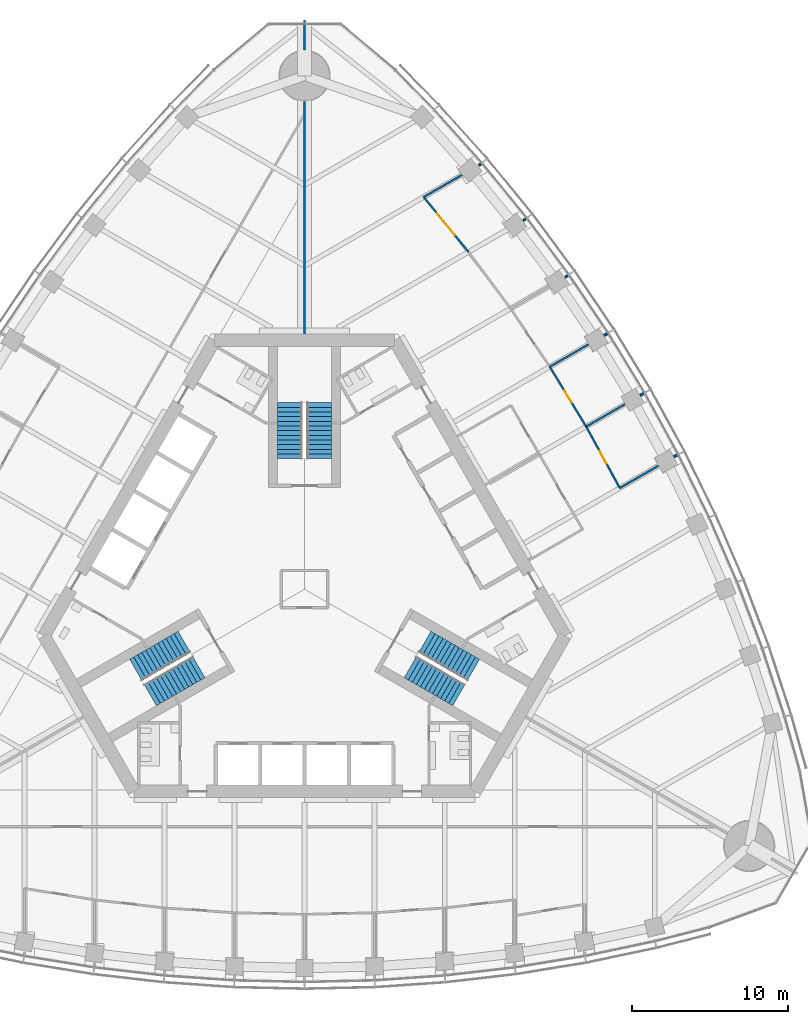
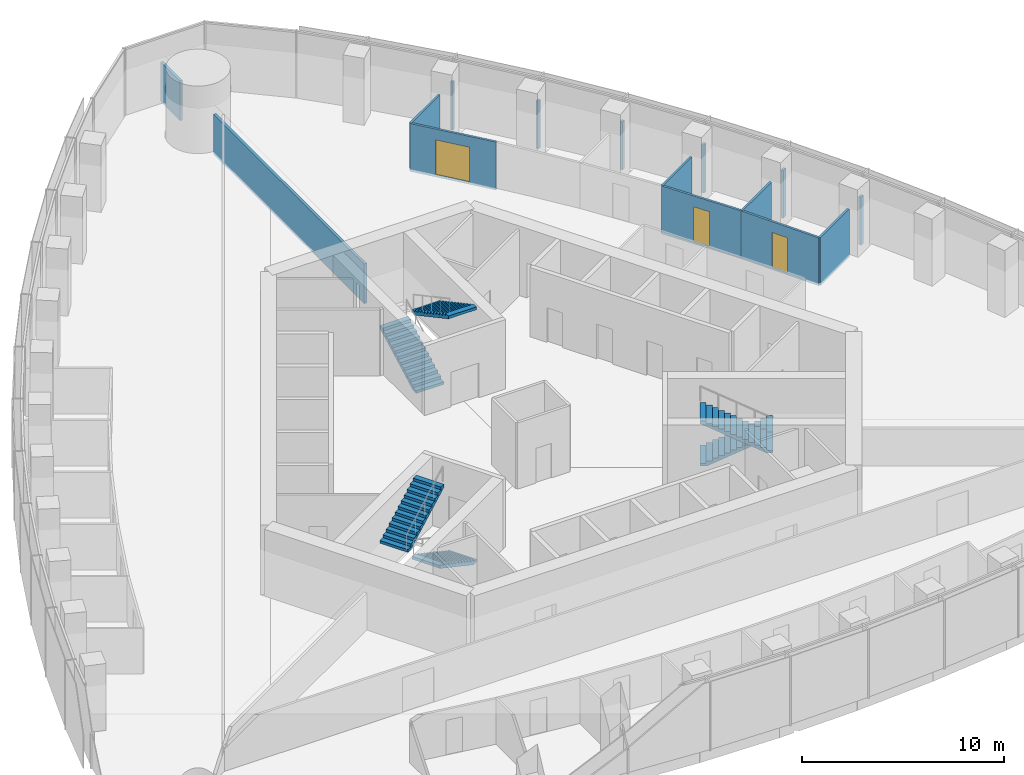
# One storey, part 15 of 20: 15 walls, 6 stair flights, 3 doors, 3 openings, 3 elements without a shape of their own.
"""IFC4 building model written with IfcOpenShell, lengths in metres."""

import ifcopenshell
import ifcopenshell.guid

model = None  # the IFC model being written
_history = None  # IfcOwnerHistory: only IFC2X3 demands one
_inside = {}  # id of a spatial element -> (the spatial element, [elements in it])
_under = {}  # id of a project, library or spatial element -> (it, [spatial elements below it])
_declared = {}  # id of a project -> (the project, [libraries it declares])
_typed = {}  # id of a type object -> (the type object, [elements of that type])
_made_of = {}  # id of a material, layer set ... -> (it, [elements and type objects made of it])


def new_model(schema):
    """Start an empty IFC model of exactly this schema.

    Asked for "IFC4X3", IfcOpenShell would pick the latest addendum, in which some entities
    have other attributes; the version numbers below select the first issue.
    IFC2X3 requires an IfcOwnerHistory on every rooted entity: one is made here for all.
    """
    global model, _history
    if schema == "IFC4X3":
        model = ifcopenshell.file(schema_version=(4, 3, 0, 0))
    else:
        model = ifcopenshell.file(schema=schema)
    _inside.clear()
    _under.clear()
    _declared.clear()
    _typed.clear()
    _made_of.clear()
    _history = None
    if model.schema == "IFC2X3":
        org = make("IfcOrganization", Name="unknown")
        user = make(
            "IfcPersonAndOrganization",
            ThePerson=make("IfcPerson", FamilyName="unknown"),
            TheOrganization=org,
        )
        app = make(
            "IfcApplication",
            ApplicationDeveloper=org,
            Version="unknown",
            ApplicationFullName="unknown",
            ApplicationIdentifier="unknown",
        )
        _history = make(
            "IfcOwnerHistory",
            OwningUser=user,
            OwningApplication=app,
            ChangeAction="ADDED",
            CreationDate=0,
        )
    return model


def make(cls, **values):
    """One entity of the class cls with the attributes given. An attribute that is None is left unset."""
    return model.create_entity(
        cls, **{name: value for name, value in values.items() if value is not None}
    )


def rooted(cls, **values):
    """An entity with a GlobalId (a new one), such as an element, a storey or a relation."""
    return make(cls, GlobalId=ifcopenshell.guid.new(), OwnerHistory=_history, **values)


def si_unit(unit_type, name, prefix=None):
    """IfcSIUnit, for example si_unit("LENGTHUNIT", "METRE", prefix="MILLI")."""
    return make("IfcSIUnit", UnitType=unit_type, Prefix=prefix, Name=name)


def assignment(units):
    """IfcUnitAssignment: the units of a project."""
    return None if units is None else make("IfcUnitAssignment", Units=units)


def point(xyz):
    """IfcCartesianPoint."""
    return None if xyz is None else make("IfcCartesianPoint", Coordinates=xyz)


def direction(xyz):
    """IfcDirection."""
    return None if xyz is None else make("IfcDirection", DirectionRatios=xyz)


def frame(location, z_axis=None, x_axis=None):
    """IfcAxis2Placement3D, a coordinate frame: its origin and axes. An axis left out is left unset."""
    return make(
        "IfcAxis2Placement3D",
        Location=point(location),
        Axis=direction(z_axis),
        RefDirection=direction(x_axis),
    )


def frame_2d(location, x_axis=None):
    """IfcAxis2Placement2D, a coordinate frame in the plane: its origin and x axis."""
    return make(
        "IfcAxis2Placement2D", Location=point(location), RefDirection=direction(x_axis)
    )


def origin():
    """The frame at (0, 0, 0) with its axes left unset."""
    return frame((0.0, 0.0, 0.0))


def place(relative_to, where):
    """IfcLocalPlacement: puts the frame where relative to a parent placement (None: the world)."""
    return make(
        "IfcLocalPlacement", PlacementRelTo=relative_to, RelativePlacement=where
    )


def context(
    kind, dimensions, precision=None, world=None, true_north=None, identifier=None
):
    """IfcGeometricRepresentationContext, for example the 3D "Model" context."""
    return make(
        "IfcGeometricRepresentationContext",
        ContextIdentifier=identifier,
        ContextType=kind,
        CoordinateSpaceDimension=dimensions,
        Precision=precision,
        WorldCoordinateSystem=world,
        TrueNorth=true_north,
    )


def subcontext(parent, identifier, kind, view, scale=None):
    """IfcGeometricRepresentationSubContext, for example "Body" below "Model"."""
    return make(
        "IfcGeometricRepresentationSubContext",
        ContextIdentifier=identifier,
        ContextType=kind,
        ParentContext=parent,
        TargetScale=scale,
        TargetView=view,
    )


def project(units=None, contexts=None):
    """IfcProject with its units and contexts."""
    return rooted(
        "IfcProject",
        Name="project",
        RepresentationContexts=contexts,
        UnitsInContext=assignment(units),
    )


def spatial(cls, under=None, at=None, **own):
    """A site, building, storey or space (cls), placed at a placement, below another one or the project."""
    s = rooted(cls, ObjectPlacement=at, **own)
    if under is not None:
        _under.setdefault(under.id(), (under, []))[1].append(s)
    return s


def polyline(points):
    """IfcPolyline through the points."""
    return make("IfcPolyline", Points=[point(p) for p in points])


def profile(cls, at=None, kind="AREA", **sizes):
    """A parametric profile (cls). Its sizes go by their IFC names, for example OverallWidth=200.0."""
    return make(cls, ProfileType=kind, Position=at, **sizes)


def rectangle(**sizes):
    """IfcRectangleProfileDef."""
    return profile("IfcRectangleProfileDef", **sizes)


def outline(outer, holes=None, kind="AREA"):
    """IfcArbitraryClosedProfileDef: a profile drawn as a closed curve; with holes, ...WithVoids."""
    if holes is None:
        return make("IfcArbitraryClosedProfileDef", ProfileType=kind, OuterCurve=outer)
    return make(
        "IfcArbitraryProfileDefWithVoids",
        ProfileType=kind,
        OuterCurve=outer,
        InnerCurves=holes,
    )


def extrude(swept, where, along, depth):
    """IfcExtrudedAreaSolid: the profile swept, set in the frame where, extruded along a direction by depth."""
    return make(
        "IfcExtrudedAreaSolid",
        SweptArea=swept,
        Position=where,
        ExtrudedDirection=direction(along),
        Depth=depth,
    )


def shape(context_of_items, identifier, shape_type, items):
    """IfcShapeRepresentation: the items that make up one representation, for example the "Body"."""
    return make(
        "IfcShapeRepresentation",
        ContextOfItems=context_of_items,
        RepresentationIdentifier=identifier,
        RepresentationType=shape_type,
        Items=items,
    )


def material(Name=None, Category=None):
    """IfcMaterial."""
    return make("IfcMaterial", Name=Name, Category=Category)


def layer(
    of_material, thickness, ventilated=None, Name=None, Category=None, Priority=None
):
    """IfcMaterialLayer: one layer of a wall or slab, of a material (None: an air gap)."""
    return make(
        "IfcMaterialLayer",
        Material=of_material,
        LayerThickness=thickness,
        IsVentilated=ventilated,
        Name=Name,
        Category=Category,
        Priority=Priority,
    )


def layer_set(layers, Name=None):
    """IfcMaterialLayerSet."""
    return make("IfcMaterialLayerSet", MaterialLayers=layers, LayerSetName=Name)


def made_of(thing, what):
    """Note that an element or type object is made of a material, layer set ...; save() writes the relation."""
    if what is not None:
        _made_of.setdefault(what.id(), (what, []))[1].append(thing)
    return thing


def type_object(cls, material=None, **own):
    """A type object (cls), such as IfcWallType, which elements share."""
    return made_of(rooted(cls, **own), material)


def element(
    cls,
    number,
    at=None,
    inside=None,
    cuts=None,
    type_object=None,
    material=None,
    context=None,
    identifier="Body",
    shape_type=None,
    held_by="IfcProductDefinitionShape",
    body=None,
    shapes=None,
    **own,
):
    """One element of the class cls, such as IfcWall. Its Tag is "e" and its number.

    at: its placement. inside: the storey or other place that contains it. cuts: it is an
    opening in that element (IfcRelVoidsElement). A single representation is given by context,
    identifier, shape_type and body (its items); several are given by shapes. held_by: the class
    of the entity that holds the representations. save() writes the other relations.
    """
    e = rooted(cls, Tag="e%d" % number, ObjectPlacement=at, **own)
    if body is not None:
        shapes = [shape(context, identifier, shape_type, body)]
    if shapes is not None:
        e.Representation = make(held_by, Representations=shapes)
    if inside is not None:
        _inside.setdefault(inside.id(), (inside, []))[1].append(e)
    if cuts is not None:
        rooted(
            "IfcRelVoidsElement", RelatingBuildingElement=cuts, RelatedOpeningElement=e
        )
    if type_object is not None:
        _typed.setdefault(type_object.id(), (type_object, []))[1].append(e)
    return made_of(e, material)


def fill(opening, filler):
    """IfcRelFillsElement: the door or window that sits in an opening."""
    return rooted(
        "IfcRelFillsElement",
        RelatingOpeningElement=opening,
        RelatedBuildingElement=filler,
    )


def aggregate(whole, parts):
    """IfcRelAggregates: a whole, such as a stair, and the parts it consists of."""
    return rooted("IfcRelAggregates", RelatingObject=whole, RelatedObjects=parts)


def save(model, path):
    """Write the relations noted so far, then the file.

    IfcRelAggregates (storeys below a building ...), IfcRelContainedInSpatialStructure (elements
    in a storey), IfcRelDefinesByType, IfcRelAssociatesMaterial and IfcRelDeclares: one each for
    every whole, place, type object, material and project.
    """
    for whole, parts in _under.values():
        aggregate(whole, parts)
    for where, things in _inside.values():
        rooted(
            "IfcRelContainedInSpatialStructure",
            RelatedElements=things,
            RelatingStructure=where,
        )
    for kind, things in _typed.values():
        rooted("IfcRelDefinesByType", RelatedObjects=things, RelatingType=kind)
    for what, things in _made_of.values():
        rooted("IfcRelAssociatesMaterial", RelatedObjects=things, RelatingMaterial=what)
    for by, libraries in _declared.values():
        rooted("IfcRelDeclares", RelatingContext=by, RelatedDefinitions=libraries)
    model.write(path)


model = new_model("IFC4")

# Units and contexts
model_context = context("Model", 3, precision=1e-05, world=origin(), true_north=direction((0.0, 1.0)))
body_context = subcontext(model_context, "Body", "Model", "MODEL_VIEW")
ifc_project = project(units=[si_unit("LENGTHUNIT", "METRE"), si_unit("AREAUNIT", "SQUARE_METRE"), si_unit("VOLUMEUNIT", "CUBIC_METRE"), si_unit("PLANEANGLEUNIT", "RADIAN"), si_unit("MASSUNIT", "GRAM", prefix="KILO")], contexts=[model_context])

# Site, building, storey
site_placement = place(None, origin())
site = spatial("IfcSite", under=ifc_project, at=site_placement, CompositionType="ELEMENT")
building_placement = place(site_placement, origin())
building = spatial("IfcBuilding", under=site, at=building_placement, Name="Trefoil Bronze Tower", CompositionType="ELEMENT")
storey_placement = place(building_placement, frame((0.0, 0.0, 219.10009765625)))
storey = spatial("IfcBuildingStorey", under=building, at=storey_placement, Name="L50", CompositionType="ELEMENT", Elevation=219.10009765625)

# Wall, opening, door
ifc_material_1 = material(Name="Glazed partition", Category="glass")
ifc_layer_1 = layer(ifc_material_1, 0.1201171875)
ifc_layer_set_1 = layer_set([ifc_layer_1], Name="Glazed partition 120")
wall_type_1 = type_object("IfcWallType", Name="Glazed partition 120", PredefinedType="PARTITIONING", material=ifc_layer_set_1)
wall_1_placement = place(storey_placement, frame((18.1005859375, 10.450439453125, 0.0), z_axis=(0.0, 0.0, 1.0), x_axis=(-0.519790350351, 0.85429385558, 0.0)))
wall_1 = element("IfcWall", 1, at=wall_1_placement, inside=storey, type_object=wall_type_1, Name="Partition F2 L50", PredefinedType="PARTITIONING", context=body_context, shape_type="SweptSolid", body=[
    extrude(rectangle(XDim=4.5009765625, YDim=0.1201171875, at=frame_2d((2.25048828125, 0.0))), origin(), (0.0, 0.0, 1.0), 2.89990234375),
])
opening_1_placement = place(wall_1_placement, frame((1.800048828125, 0.0, 0.14990234375)))
opening_1 = element("IfcOpeningElement", 2, at=opening_1_placement, cuts=wall_1, Name="Opening D8", PredefinedType="OPENING", context=body_context, shape_type="SweptSolid", body=[
    extrude(rectangle(XDim=0.89990234375, YDim=2.10009765625, at=frame_2d((0.449951171875, 1.050048828125))), frame((0.0, 0.070068359375, 0.0), z_axis=(0.0, -1.0, 0.0), x_axis=(1.0, 0.0, 0.0)), (0.0, 0.0, 1.0), 0.14013671875),
])
ifc_material_2 = material(Name="Timber door", Category="wood")
door_type_1 = type_object("IfcDoorType", Name="Office door 900", OperationType="SINGLE_SWING_LEFT", PredefinedType="DOOR", material=ifc_material_2)
door_1_placement = place(opening_1_placement, frame((0.89990234375, 0.0, 0.0), z_axis=(0.0, 0.0, 1.0), x_axis=(-1.0, 0.0, 0.0)))
door_1 = element("IfcDoor", 3, at=door_1_placement, inside=storey, type_object=door_type_1, Name="Office door F2 L50", OperationType="SINGLE_SWING_RIGHT", OverallHeight=2.10009765625, OverallWidth=0.89990234375, PredefinedType="DOOR", context=body_context, shape_type="SweptSolid", body=[
    extrude(rectangle(XDim=0.89990234375, YDim=2.10009765625, at=frame_2d((0.449951171875, 1.050048828125))), frame((0.0, 0.02490234375, 0.0), z_axis=(0.0, -1.0, 0.0), x_axis=(1.0, 0.0, 0.0)), (0.0, 0.0, 1.0), 0.050048828125),
])
fill(opening_1, door_1)

wall_2_placement = place(storey_placement, frame((10.541015625, 21.67431640625, 0.0), z_axis=(0.0, 0.0, 1.0), x_axis=(-0.632733183181, 0.774369885069, 0.0)))
wall_2 = element("IfcWall", 4, at=wall_2_placement, inside=storey, type_object=wall_type_1, Name="Partition F2 L50", PredefinedType="PARTITIONING", context=body_context, shape_type="SweptSolid", body=[
    extrude(rectangle(XDim=4.559326171875, YDim=0.1201171875, at=frame_2d((2.27978515625, 0.0))), origin(), (0.0, 0.0, 1.0), 2.89990234375),
])
opening_2_placement = place(wall_2_placement, frame((1.39990234375, 0.0, 0.14990234375)))
opening_2 = element("IfcOpeningElement", 5, at=opening_2_placement, cuts=wall_2, Name="Opening D10", PredefinedType="OPENING", context=body_context, shape_type="SweptSolid", body=[
    extrude(rectangle(XDim=1.800048828125, YDim=2.10009765625, at=frame_2d((0.89990234375, 1.050048828125))), frame((0.0, 0.070068359375, 0.0), z_axis=(0.0, -1.0, 0.0), x_axis=(1.0, 0.0, 0.0)), (0.0, 0.0, 1.0), 0.14013671875),
])
ifc_material_3 = material(Name="Timber door", Category="wood")
door_type_2 = type_object("IfcDoorType", Name="Double door 1800", OperationType="DOUBLE_DOOR_SINGLE_SWING", PredefinedType="DOOR", material=ifc_material_3)
door_2_placement = place(opening_2_placement, frame((1.800048828125, 0.0, 0.0), z_axis=(0.0, 0.0, 1.0), x_axis=(-1.0, 0.0, 0.0)))
door_2 = element("IfcDoor", 6, at=door_2_placement, inside=storey, type_object=door_type_2, Name="Kitchen and breakout door F2 L50", OperationType="DOUBLE_DOOR_SINGLE_SWING", OverallHeight=2.10009765625, OverallWidth=1.800048828125, PredefinedType="DOOR", context=body_context, shape_type="SweptSolid", body=[
    extrude(rectangle(XDim=1.800048828125, YDim=2.10009765625, at=frame_2d((0.89990234375, 1.050048828125))), frame((0.0, 0.02490234375, 0.0), z_axis=(0.0, -1.0, 0.0), x_axis=(1.0, 0.0, 0.0)), (0.0, 0.0, 1.0), 0.050048828125),
])
fill(opening_2, door_2)

wall_3_placement = place(storey_placement, frame((20.260986328125, 6.50146484375, 0.0), z_axis=(0.0, 0.0, 1.0), x_axis=(-0.479949984371, 0.877295852322, 0.0)))
wall_3 = element("IfcWall", 7, at=wall_3_placement, inside=storey, type_object=wall_type_1, Name="Partition F2 L50", PredefinedType="PARTITIONING", context=body_context, shape_type="SweptSolid", body=[
    extrude(rectangle(XDim=4.501220703125, YDim=0.1201171875, at=frame_2d((2.25048828125, 0.0))), origin(), (0.0, 0.0, 1.0), 2.89990234375),
])
opening_3_placement = place(wall_3_placement, frame((1.800048828125, 0.0, 0.14990234375)))
opening_3 = element("IfcOpeningElement", 8, at=opening_3_placement, cuts=wall_3, Name="Opening D8", PredefinedType="OPENING", context=body_context, shape_type="SweptSolid", body=[
    extrude(rectangle(XDim=0.89990234375, YDim=2.10009765625, at=frame_2d((0.449951171875, 1.050048828125))), frame((0.0, 0.070068359375, 0.0), z_axis=(0.0, -1.0, 0.0), x_axis=(1.0, 0.0, 0.0)), (0.0, 0.0, 1.0), 0.14013671875),
])
door_3_placement = place(opening_3_placement, frame((0.89990234375, 0.0, 0.0), z_axis=(0.0, 0.0, 1.0), x_axis=(-1.0, 0.0, 0.0)))
door_3 = element("IfcDoor", 9, at=door_3_placement, inside=storey, type_object=door_type_1, Name="Office door F2 L50", OperationType="SINGLE_SWING_RIGHT", OverallHeight=2.10009765625, OverallWidth=0.89990234375, PredefinedType="DOOR", context=body_context, shape_type="SweptSolid", body=[
    extrude(rectangle(XDim=0.89990234375, YDim=2.10009765625, at=frame_2d((0.449951171875, 1.050048828125))), frame((0.0, 0.02490234375, 0.0), z_axis=(0.0, -1.0, 0.0), x_axis=(1.0, 0.0, 0.0)), (0.0, 0.0, 1.0), 0.050048828125),
])
fill(opening_3, door_3)

# Walls
wall_4_placement = place(storey_placement, frame((18.1005859375, 10.450439453125, 0.0), z_axis=(0.0, 0.0, 1.0), x_axis=(0.866041086612, 0.499972835562, 0.0)))
element("IfcWall", 10, at=wall_4_placement, inside=storey, type_object=wall_type_1, Name="Partition F2 L50", PredefinedType="PARTITIONING", context=body_context, shape_type="SweptSolid", body=[
    extrude(rectangle(XDim=2.869873046875, YDim=0.1201171875, at=frame_2d((1.43505859375, 0.0))), origin(), (0.0, 0.0, 1.0), 2.89990234375),
])
wall_5_placement = place(storey_placement, frame((7.65625, 25.204833984375, 0.0), z_axis=(0.0, 0.0, 1.0), x_axis=(0.866022741256, 0.500004611607, 0.0)))
element("IfcWall", 11, at=wall_5_placement, inside=storey, type_object=wall_type_1, Name="Partition F2 L50", PredefinedType="PARTITIONING", context=body_context, shape_type="SweptSolid", body=[
    extrude(rectangle(XDim=2.84619140625, YDim=0.1201171875, at=frame_2d((1.423095703125, 0.0))), origin(), (0.0, 0.0, 1.0), 2.89990234375),
])
for number, where, z_axis, x_axis, name in (
    (12, (15.760986328125, 14.295654296875, 0.0), (0.0, 0.0, 1.0), (0.866008413041, 0.500029427677, 0.0), "Partition F2 L50"),
    (13, (20.260986328125, 6.50146484375, 0.0), (0.0, 0.0, 1.0), (0.866008413041, 0.500029427677, 0.0), "Partition F2 L50"),
):
    element("IfcWall", number, at=place(storey_placement, frame(where, z_axis=z_axis, x_axis=x_axis)), inside=storey, type_object=wall_type_1, Name=name, PredefinedType="PARTITIONING", context=body_context, shape_type="SweptSolid", body=[
        extrude(rectangle(XDim=2.868408203125, YDim=0.1201171875, at=frame_2d((1.43408203125, 0.0))), origin(), (0.0, 0.0, 1.0), 2.89990234375),
    ])
ifc_material_4 = material(Name="Gypsum board on steel studs", Category="steel")
ifc_layer_2 = layer(ifc_material_4, 0.14990234375)
ifc_layer_set_2 = layer_set([ifc_layer_2], Name="Partition 150")
wall_type_2 = type_object("IfcWallType", Name="Partition 150", PredefinedType="PARTITIONING", material=ifc_layer_set_2)
wall_6_placement = place(storey_placement, frame((14.063232421875, 23.707763671875, 0.0), z_axis=(0.0, 0.0, 1.0), x_axis=(0.865614066289, 0.500711781609, 0.0)))
element("IfcWall", 14, at=wall_6_placement, inside=storey, type_object=wall_type_2, Name="Partition F2 L50", PredefinedType="PARTITIONING", context=body_context, shape_type="SweptSolid", body=[
    extrude(rectangle(XDim=0.177978515625, YDim=0.14990234375, at=frame_2d((0.0888671875, 0.0))), origin(), (0.0, 0.0, 1.0), 2.89990234375),
])
wall_7_placement = place(storey_placement, frame((11.19140625, 27.245849609375, 0.0), z_axis=(0.0, 0.0, 1.0), x_axis=(0.865836232376, 0.500327511442, 0.0)))
element("IfcWall", 15, at=wall_7_placement, inside=storey, type_object=wall_type_2, Name="Partition F2 L50", PredefinedType="PARTITIONING", context=body_context, shape_type="SweptSolid", body=[
    extrude(rectangle(XDim=0.1630859375, YDim=0.14990234375, at=frame_2d((0.08154296875, 0.0))), origin(), (0.0, 0.0, 1.0), 2.89990234375),
])
wall_8_placement = place(storey_placement, frame((19.249267578125, 16.3095703125, 0.0), z_axis=(0.0, 0.0, 1.0), x_axis=(0.865810949009, 0.500371262739, 0.0)))
element("IfcWall", 16, at=wall_8_placement, inside=storey, type_object=wall_type_2, Name="Partition F2 L50", PredefinedType="PARTITIONING", context=body_context, shape_type="SweptSolid", body=[
    extrude(rectangle(XDim=0.217041015625, YDim=0.14990234375, at=frame_2d((0.1083984375, 0.0))), origin(), (0.0, 0.0, 1.0), 2.89990234375),
])
wall_9_placement = place(storey_placement, frame((16.748291015625, 20.061767578125, 0.0), z_axis=(0.0, 0.0, 1.0), x_axis=(0.865625187776, 0.500692554656, 0.0)))
element("IfcWall", 17, at=wall_9_placement, inside=storey, type_object=wall_type_2, Name="Partition F2 L50", PredefinedType="PARTITIONING", context=body_context, shape_type="SweptSolid", body=[
    extrude(rectangle(XDim=0.196044921875, YDim=0.14990234375, at=frame_2d((0.09814453125, 0.0))), origin(), (0.0, 0.0, 1.0), 2.89990234375),
])
wall_10_placement = place(storey_placement, frame((21.568115234375, 12.452392578125, 0.0), z_axis=(0.0, 0.0, 1.0), x_axis=(0.866303639744, 0.499517771221, 0.0)))
element("IfcWall", 18, at=wall_10_placement, inside=storey, type_object=wall_type_2, Name="Partition F2 L50", PredefinedType="PARTITIONING", context=body_context, shape_type="SweptSolid", body=[
    extrude(rectangle(XDim=0.240966796875, YDim=0.14990234375, at=frame_2d((0.12060546875, 0.0))), origin(), (0.0, 0.0, 1.0), 2.89990234375),
])
wall_11_placement = place(storey_placement, frame((23.749267578125, 8.515380859375, 0.0), z_axis=(0.0, 0.0, 1.0), x_axis=(0.865810949009, 0.500371262739, 0.0)))
element("IfcWall", 19, at=wall_11_placement, inside=storey, type_object=wall_type_2, Name="Partition F2 L50", PredefinedType="PARTITIONING", context=body_context, shape_type="SweptSolid", body=[
    extrude(rectangle(XDim=0.217041015625, YDim=0.14990234375, at=frame_2d((0.1083984375, 0.0))), origin(), (0.0, 0.0, 1.0), 2.89990234375),
])
ifc_material_5 = material(Name="Gypsum board on steel studs", Category="steel")
ifc_layer_3 = layer(ifc_material_5, 0.14990234375)
ifc_layer_set_3 = layer_set([ifc_layer_3], Name="Party wall 150")
wall_type_3 = type_object("IfcWallType", Name="Party wall 150", PredefinedType="PARTITIONING", material=ifc_layer_set_3)
wall_12_placement = place(storey_placement, frame((0.0, 16.39990234375, 0.0), z_axis=(0.0, 0.0, 1.0), x_axis=(0.0, 1.0, 0.0)))
element("IfcWall", 20, at=wall_12_placement, inside=storey, type_object=wall_type_3, Name="Party wall K2 L50", PredefinedType="PARTITIONING", context=body_context, shape_type="SweptSolid", body=[
    extrude(rectangle(XDim=14.9501953125, YDim=0.14990234375, at=frame_2d((7.47509765625, 0.0))), origin(), (0.0, 0.0, 1.0), 2.39990234375),
])
wall_13_placement = place(storey_placement, frame((0.0, 34.64990234375, 0.0), z_axis=(0.0, 0.0, 1.0), x_axis=(0.0, 1.0, 0.0)))
element("IfcWall", 21, at=wall_13_placement, inside=storey, type_object=wall_type_3, Name="Party wall K2 L50", PredefinedType="PARTITIONING", context=body_context, shape_type="SweptSolid", body=[
    extrude(rectangle(XDim=1.934814453125, YDim=0.14990234375, at=frame_2d((0.96728515625, 0.0))), origin(), (0.0, 0.0, 1.0), 2.39990234375),
])

# Stair, stair flights
ifc_material_6 = material(Name="Precast concrete B80", Category="concrete")
stair_type = type_object("IfcStairType", Name="Exit stair 26 risers", PredefinedType="HALF_TURN_STAIR", material=ifc_material_6)
stair_1_placement = place(storey_placement, origin())
stair_1 = element("IfcStair", 22, at=stair_1_placement, inside=storey, type_object=stair_type, Name="Stair ST1 L50", PredefinedType="HALF_TURN_STAIR")
ifc_material_7 = material(Name="Precast concrete B80", Category="concrete")
stair_flight_type = type_object("IfcStairFlightType", Name="Stair flight 1600", PredefinedType="STRAIGHT", material=ifc_material_7)
stair_flight_1_placement = place(storey_placement, frame((7.728515625, -3.39404296875, 0.0), z_axis=(0.0, 0.0, 1.0), x_axis=(0.866025403784, -0.5, 0.0)))
stair_flight_1 = element("IfcStairFlight", 23, at=stair_flight_1_placement, type_object=stair_flight_type, Name="ST1 flight 1", NumberOfRisers=13, NumberOfTreads=12, PredefinedType="STRAIGHT", RiserHeight=0.161538462, TreadLength=0.3, context=body_context, shape_type="SweptSolid", body=[
    extrude(outline(polyline([(0.0, 0.0), (0.0, 0.16162109375), (0.300048828125, 0.16162109375), (0.300048828125, 0.322998046875), (0.60009765625, 0.322998046875), (0.60009765625, 0.484619140625), (0.89990234375, 0.484619140625), (0.89990234375, 0.646240234375), (1.199951171875, 0.646240234375), (1.199951171875, 0.8076171875), (1.5, 0.8076171875), (1.5, 0.96923828125), (1.800048828125, 0.96923828125), (1.800048828125, 1.130859375), (2.10009765625, 1.130859375), (2.10009765625, 1.292236328125), (2.39990234375, 1.292236328125), (2.39990234375, 1.453857421875), (2.699951171875, 1.453857421875), (2.699951171875, 1.615478515625), (3.0, 1.615478515625), (3.0, 1.77685546875), (3.300048828125, 1.77685546875), (3.300048828125, 1.9384765625), (3.60009765625, 1.9384765625), (3.60009765625, 2.10009765625), (3.60009765625, 1.768310546875), (0.316162109375, 0.0), (0.0, 0.0)])), frame((0.0, 0.800048828125, 0.0), z_axis=(0.0, -1.0, 0.0), x_axis=(1.0, 0.0, 0.0)), (0.0, 0.0, 1.0), 1.60009765625),
])
stair_flight_2_placement = place(storey_placement, frame((9.921142578125, -6.796142578125, 2.099853515625), z_axis=(0.0, 0.0, 1.0), x_axis=(-0.866025403784, 0.5, 0.0)))
stair_flight_2 = element("IfcStairFlight", 24, at=stair_flight_2_placement, type_object=stair_flight_type, Name="ST1 flight 2", NumberOfRisers=13, NumberOfTreads=12, PredefinedType="STRAIGHT", RiserHeight=0.161538462, TreadLength=0.3, context=body_context, shape_type="SweptSolid", body=[
    extrude(outline(polyline([(0.0, 0.0), (0.0, 0.16162109375), (0.300048828125, 0.16162109375), (0.300048828125, 0.322998046875), (0.60009765625, 0.322998046875), (0.60009765625, 0.484619140625), (0.89990234375, 0.484619140625), (0.89990234375, 0.646240234375), (1.199951171875, 0.646240234375), (1.199951171875, 0.8076171875), (1.5, 0.8076171875), (1.5, 0.96923828125), (1.800048828125, 0.96923828125), (1.800048828125, 1.130859375), (2.10009765625, 1.130859375), (2.10009765625, 1.292236328125), (2.39990234375, 1.292236328125), (2.39990234375, 1.453857421875), (2.699951171875, 1.453857421875), (2.699951171875, 1.615478515625), (3.0, 1.615478515625), (3.0, 1.77685546875), (3.300048828125, 1.77685546875), (3.300048828125, 1.9384765625), (3.60009765625, 1.9384765625), (3.60009765625, 2.10009765625), (3.60009765625, 1.768310546875), (0.316162109375, 0.0), (0.0, 0.0)])), frame((0.0, 0.800048828125, 0.0), z_axis=(0.0, -1.0, 0.0), x_axis=(1.0, 0.0, 0.0)), (0.0, 0.0, 1.0), 1.60009765625),
])
aggregate(stair_1, [stair_flight_1, stair_flight_2])

stair_2_placement = place(storey_placement, origin())
stair_2 = element("IfcStair", 25, at=stair_2_placement, inside=storey, type_object=stair_type, Name="Stair ST2 L50", PredefinedType="HALF_TURN_STAIR")
stair_flight_3_placement = place(storey_placement, frame((-0.925048828125, 8.389892578125, 0.0), z_axis=(0.0, 0.0, 1.0), x_axis=(0.0, 1.0, 0.0)))
stair_flight_3 = element("IfcStairFlight", 26, at=stair_flight_3_placement, type_object=stair_flight_type, Name="ST2 flight 1", NumberOfRisers=13, NumberOfTreads=12, PredefinedType="STRAIGHT", RiserHeight=0.161538462, TreadLength=0.3, context=body_context, shape_type="SweptSolid", body=[
    extrude(outline(polyline([(0.0, 0.0), (0.0, 0.16162109375), (0.300048828125, 0.16162109375), (0.300048828125, 0.322998046875), (0.60009765625, 0.322998046875), (0.60009765625, 0.484619140625), (0.89990234375, 0.484619140625), (0.89990234375, 0.646240234375), (1.199951171875, 0.646240234375), (1.199951171875, 0.8076171875), (1.5, 0.8076171875), (1.5, 0.96923828125), (1.800048828125, 0.96923828125), (1.800048828125, 1.130859375), (2.10009765625, 1.130859375), (2.10009765625, 1.292236328125), (2.39990234375, 1.292236328125), (2.39990234375, 1.453857421875), (2.699951171875, 1.453857421875), (2.699951171875, 1.615478515625), (3.0, 1.615478515625), (3.0, 1.77685546875), (3.300048828125, 1.77685546875), (3.300048828125, 1.9384765625), (3.60009765625, 1.9384765625), (3.60009765625, 2.10009765625), (3.60009765625, 1.768310546875), (0.316162109375, 0.0), (0.0, 0.0)])), frame((0.0, 0.800048828125, 0.0), z_axis=(0.0, -1.0, 0.0), x_axis=(1.0, 0.0, 0.0)), (0.0, 0.0, 1.0), 1.60009765625),
])
stair_flight_4_placement = place(storey_placement, frame((0.925048828125, 11.989990234375, 2.099853515625), z_axis=(0.0, 0.0, 1.0), x_axis=(0.0, -1.0, 0.0)))
stair_flight_4 = element("IfcStairFlight", 27, at=stair_flight_4_placement, type_object=stair_flight_type, Name="ST2 flight 2", NumberOfRisers=13, NumberOfTreads=12, PredefinedType="STRAIGHT", RiserHeight=0.161538462, TreadLength=0.3, context=body_context, shape_type="SweptSolid", body=[
    extrude(outline(polyline([(0.0, 0.0), (0.0, 0.16162109375), (0.300048828125, 0.16162109375), (0.300048828125, 0.322998046875), (0.60009765625, 0.322998046875), (0.60009765625, 0.484619140625), (0.89990234375, 0.484619140625), (0.89990234375, 0.646240234375), (1.199951171875, 0.646240234375), (1.199951171875, 0.8076171875), (1.5, 0.8076171875), (1.5, 0.96923828125), (1.800048828125, 0.96923828125), (1.800048828125, 1.130859375), (2.10009765625, 1.130859375), (2.10009765625, 1.292236328125), (2.39990234375, 1.292236328125), (2.39990234375, 1.453857421875), (2.699951171875, 1.453857421875), (2.699951171875, 1.615478515625), (3.0, 1.615478515625), (3.0, 1.77685546875), (3.300048828125, 1.77685546875), (3.300048828125, 1.9384765625), (3.60009765625, 1.9384765625), (3.60009765625, 2.10009765625), (3.60009765625, 1.768310546875), (0.316162109375, 0.0), (0.0, 0.0)])), frame((0.0, 0.800048828125, 0.0), z_axis=(0.0, -1.0, 0.0), x_axis=(1.0, 0.0, 0.0)), (0.0, 0.0, 1.0), 1.60009765625),
])
aggregate(stair_2, [stair_flight_3, stair_flight_4])

stair_3_placement = place(storey_placement, origin())
stair_3 = element("IfcStair", 28, at=stair_3_placement, inside=storey, type_object=stair_type, Name="Stair ST3 L50", PredefinedType="HALF_TURN_STAIR")
stair_flight_5_placement = place(storey_placement, frame((-6.803466796875, -4.99609375, 0.0), z_axis=(0.0, 0.0, 1.0), x_axis=(-0.866025403784, -0.5, 0.0)))
stair_flight_5 = element("IfcStairFlight", 29, at=stair_flight_5_placement, type_object=stair_flight_type, Name="ST3 flight 1", NumberOfRisers=13, NumberOfTreads=12, PredefinedType="STRAIGHT", RiserHeight=0.161538462, TreadLength=0.3, context=body_context, shape_type="SweptSolid", body=[
    extrude(outline(polyline([(0.0, 0.0), (0.0, 0.16162109375), (0.300048828125, 0.16162109375), (0.300048828125, 0.322998046875), (0.60009765625, 0.322998046875), (0.60009765625, 0.484619140625), (0.89990234375, 0.484619140625), (0.89990234375, 0.646240234375), (1.199951171875, 0.646240234375), (1.199951171875, 0.8076171875), (1.5, 0.8076171875), (1.5, 0.96923828125), (1.800048828125, 0.96923828125), (1.800048828125, 1.130859375), (2.10009765625, 1.130859375), (2.10009765625, 1.292236328125), (2.39990234375, 1.292236328125), (2.39990234375, 1.453857421875), (2.699951171875, 1.453857421875), (2.699951171875, 1.615478515625), (3.0, 1.615478515625), (3.0, 1.77685546875), (3.300048828125, 1.77685546875), (3.300048828125, 1.9384765625), (3.60009765625, 1.9384765625), (3.60009765625, 2.10009765625), (3.60009765625, 1.768310546875), (0.316162109375, 0.0), (0.0, 0.0)])), frame((0.0, 0.800048828125, 0.0), z_axis=(0.0, -1.0, 0.0), x_axis=(1.0, 0.0, 0.0)), (0.0, 0.0, 1.0), 1.60009765625),
])
stair_flight_6_placement = place(storey_placement, frame((-10.84619140625, -5.19384765625, 2.099853515625), z_axis=(0.0, 0.0, 1.0), x_axis=(0.866025403784, 0.5, 0.0)))
stair_flight_6 = element("IfcStairFlight", 30, at=stair_flight_6_placement, type_object=stair_flight_type, Name="ST3 flight 2", NumberOfRisers=13, NumberOfTreads=12, PredefinedType="STRAIGHT", RiserHeight=0.161538462, TreadLength=0.3, context=body_context, shape_type="SweptSolid", body=[
    extrude(outline(polyline([(0.0, 0.0), (0.0, 0.16162109375), (0.300048828125, 0.16162109375), (0.300048828125, 0.322998046875), (0.60009765625, 0.322998046875), (0.60009765625, 0.484619140625), (0.89990234375, 0.484619140625), (0.89990234375, 0.646240234375), (1.199951171875, 0.646240234375), (1.199951171875, 0.8076171875), (1.5, 0.8076171875), (1.5, 0.96923828125), (1.800048828125, 0.96923828125), (1.800048828125, 1.130859375), (2.10009765625, 1.130859375), (2.10009765625, 1.292236328125), (2.39990234375, 1.292236328125), (2.39990234375, 1.453857421875), (2.699951171875, 1.453857421875), (2.699951171875, 1.615478515625), (3.0, 1.615478515625), (3.0, 1.77685546875), (3.300048828125, 1.77685546875), (3.300048828125, 1.9384765625), (3.60009765625, 1.9384765625), (3.60009765625, 2.10009765625), (3.60009765625, 1.768310546875), (0.316162109375, 0.0), (0.0, 0.0)])), frame((0.0, 0.800048828125, 0.0), z_axis=(0.0, -1.0, 0.0), x_axis=(1.0, 0.0, 0.0)), (0.0, 0.0, 1.0), 1.60009765625),
])
aggregate(stair_3, [stair_flight_5, stair_flight_6])

save(model, "model.ifc")
